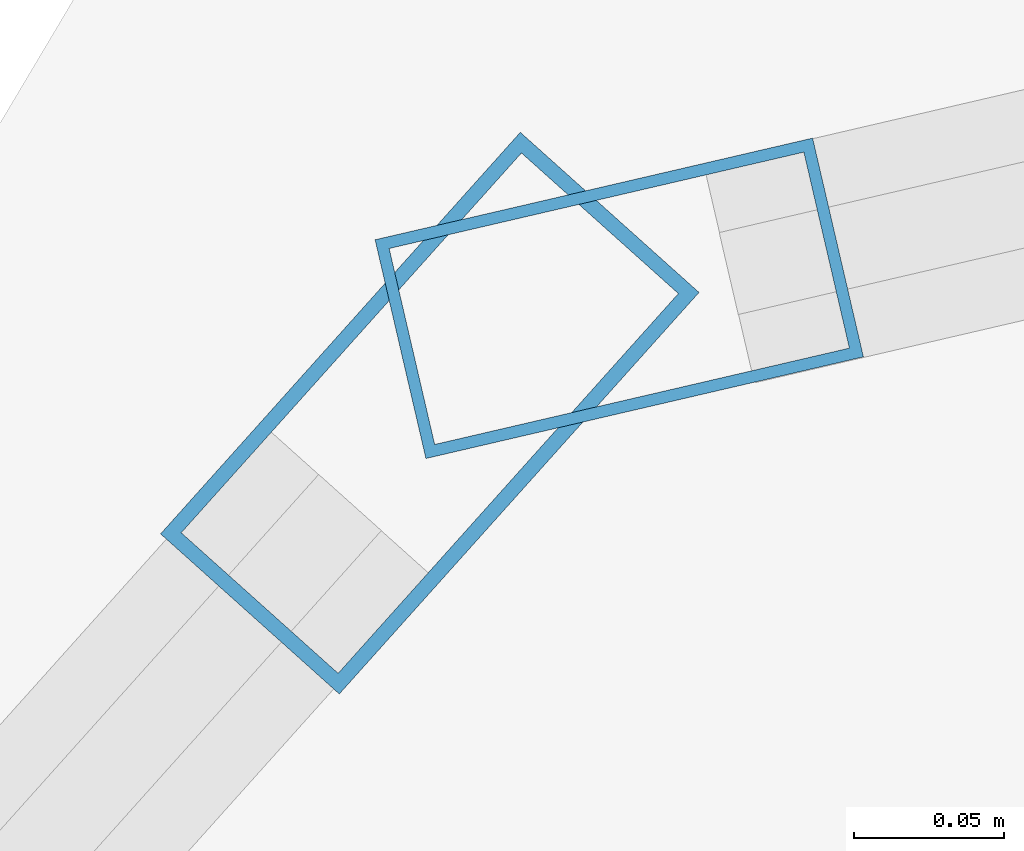
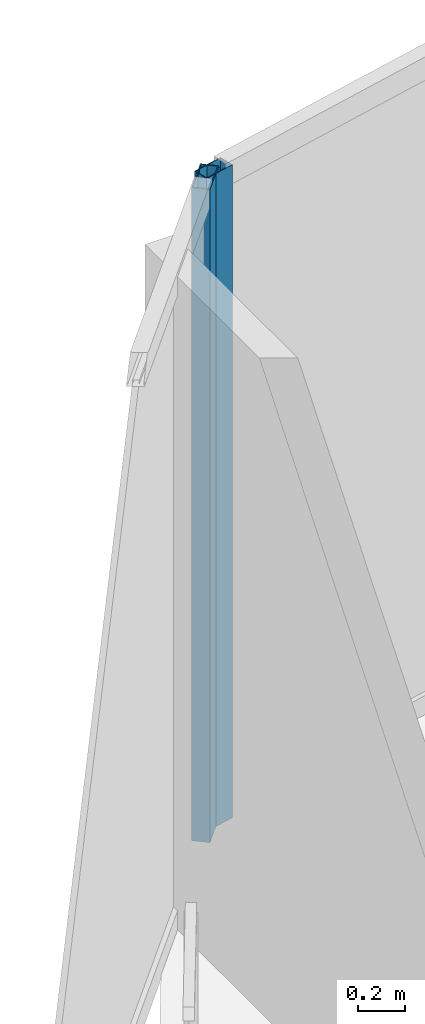
# One storey, part 19 of 31: 2 members, 2 elements without a shape of their own.
"""IFC4 building model written with IfcOpenShell, lengths in metres."""

from ifc_helpers import new_model, si_unit, direction, frame, origin, origin_2d, place, context, subcontext, project, spatial, hollow_rectangle, extrude, material, layer, layer_set, material_profile, profile_set, type_object, element, aggregate, save


model = new_model("IFC4")

# Units and contexts
model_context = context("Model", 3, precision=1e-05, world=origin(), true_north=direction((0.0, 1.0)))
body_context = subcontext(model_context, "Body", "Model", "MODEL_VIEW")
ifc_project = project(units=[si_unit("LENGTHUNIT", "METRE"), si_unit("AREAUNIT", "SQUARE_METRE"), si_unit("VOLUMEUNIT", "CUBIC_METRE"), si_unit("PLANEANGLEUNIT", "RADIAN"), si_unit("MASSUNIT", "GRAM", prefix="KILO")], contexts=[model_context])

# Site, building, storey
site_placement = place(None, origin())
site = spatial("IfcSite", under=ifc_project, at=site_placement, CompositionType="ELEMENT")
building_placement = place(site_placement, origin())
building = spatial("IfcBuilding", under=site, at=building_placement, Name="Kazevale Care Tower and Concert Hall", CompositionType="ELEMENT")
storey_placement = place(building_placement, frame((0.0, 0.0, 81.60009765625)))
storey = spatial("IfcBuildingStorey", under=building, at=storey_placement, Name="L21", CompositionType="ELEMENT", Elevation=81.60009765625)

# Curtain wall, member
ifc_material_1 = material(Name="Aluminium 6063-T6 and Low-E Glass", Category="aluminium")
ifc_layer_1 = layer(ifc_material_1, 0.179931640625)
ifc_layer_set_1 = layer_set([ifc_layer_1], Name="Aluminium 6063-T6 and Low-E Glass")
curtain_wall_type_1 = type_object("IfcCurtainWallType", Name="Convex Checkerboard Finned Curtain Wall CW-2", PredefinedType="NOTDEFINED", material=ifc_layer_set_1)
curtain_wall_1_placement = place(storey_placement, origin())
curtain_wall_1 = element("IfcCurtainWall", 1, at=curtain_wall_1_placement, inside=storey, type_object=curtain_wall_type_1, Name="cw:L21:f14", PredefinedType="NOTDEFINED")
ifc_material_2 = material(Name="Aluminium 6063-T6", Category="aluminium")
ifc_material_profile_1 = material_profile(ifc_material_2, hollow_rectangle(XDim=0.080078125, YDim=0.179931640625, WallThickness=0.0048828125, at=origin_2d()), Name="ALU80x180x5")
ifc_profile_set_1 = profile_set([ifc_material_profile_1], Name="Aluminium 6063-T6")
member_type_1 = type_object("IfcMemberType", Name="CW-2 Mullion ALU80x180x5", PredefinedType="MULLION", material=ifc_profile_set_1)
member_1_placement = place(storey_placement, frame((26.398193359375, 61.833251953125, 0.0), z_axis=(0.0, 0.0, 1.0), x_axis=(-0.744820476493, 0.667264908262, 0.0)))
member_1 = element("IfcMember", 2, at=member_1_placement, type_object=member_type_1, Name="CW-2 mullion 2", PredefinedType="MULLION", context=body_context, shape_type="SweptSolid", body=[
    extrude(hollow_rectangle(XDim=0.080078125, YDim=0.179931640625, WallThickness=0.0048828125, at=origin_2d()), origin(), (0.0, 0.0, 1.0), 3.35986328125),
])
aggregate(curtain_wall_1, [member_1])

ifc_layer_2 = layer(ifc_material_1, 0.179931640625)
ifc_layer_set_2 = layer_set([ifc_layer_2], Name="Aluminium 6063-T6 and Low-E Glass")
curtain_wall_type_2 = type_object("IfcCurtainWallType", Name="Convex Recessed Sunroom Curtain Wall CW-3", PredefinedType="NOTDEFINED", material=ifc_layer_set_2)
curtain_wall_2_placement = place(storey_placement, origin())
curtain_wall_2 = element("IfcCurtainWall", 3, at=curtain_wall_2_placement, inside=storey, type_object=curtain_wall_type_2, Name="cw:L21:f15", PredefinedType="NOTDEFINED")
ifc_material_profile_2 = material_profile(ifc_material_2, hollow_rectangle(XDim=0.074951171875, YDim=0.14990234375, WallThickness=0.00390625, at=origin_2d()), Name="ALU75x150x4")
ifc_profile_set_2 = profile_set([ifc_material_profile_2], Name="Aluminium 6063-T6")
member_type_2 = type_object("IfcMemberType", Name="CW-3 Mullion ALU75x150x4", PredefinedType="MULLION", material=ifc_profile_set_2)
member_2_placement = place(storey_placement, frame((26.46142578125, 61.87158203125, 0.0), z_axis=(0.0, 0.0, 1.0), x_axis=(-0.226287348061, 0.9740605916, 0.0)))
member_2 = element("IfcMember", 4, at=member_2_placement, type_object=member_type_2, Name="CW-3 mullion 1", PredefinedType="MULLION", context=body_context, shape_type="SweptSolid", body=[
    extrude(hollow_rectangle(XDim=0.074951171875, YDim=0.14990234375, WallThickness=0.00390625, at=origin_2d()), origin(), (0.0, 0.0, 1.0), 3.35986328125),
])
aggregate(curtain_wall_2, [member_2])

save(model, "model.ifc")
